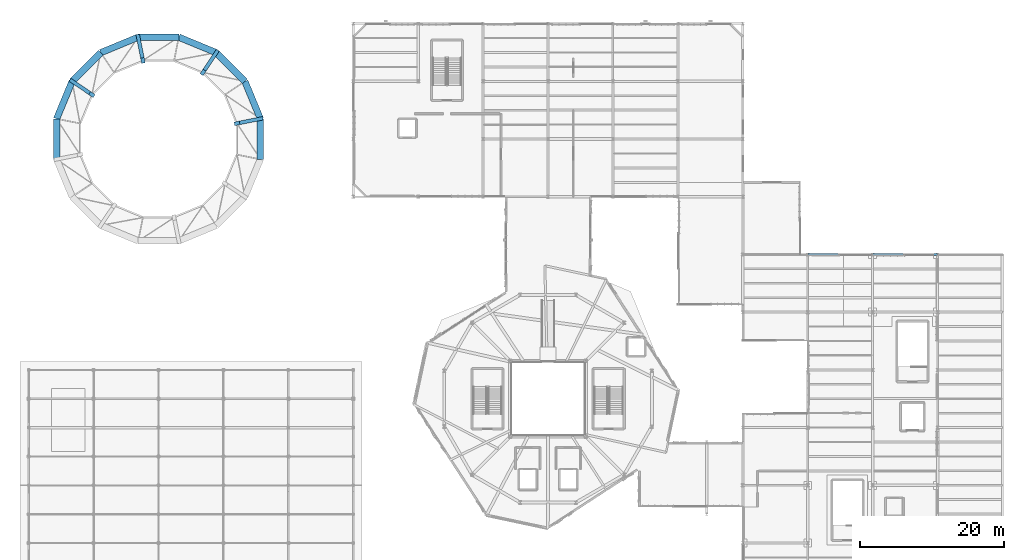
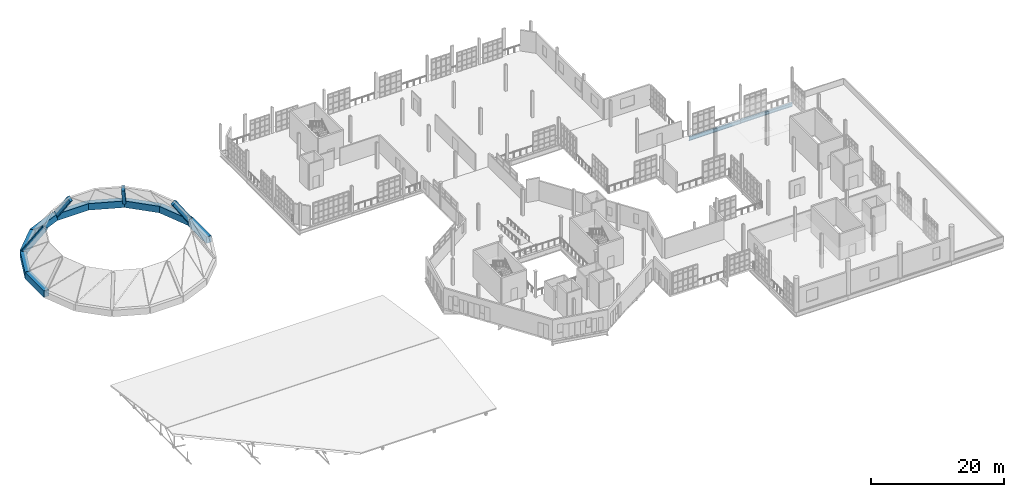
# One storey, part 58 of 118: 15 beams.
"""IFC4 building model written with IfcOpenShell, lengths in metres."""

from ifc_helpers import new_model, si_unit, direction, frame, origin, origin_2d, place, context, subcontext, project, spatial, rectangle, i_section, extrude, material, material_profile, profile_set, type_object, element, save


model = new_model("IFC4")

# Units and contexts
model_context = context("Model", 3, precision=1e-05, world=origin(), true_north=direction((0.0, 1.0)))
body_context = subcontext(model_context, "Body", "Model", "MODEL_VIEW")
ifc_project = project(units=[si_unit("LENGTHUNIT", "METRE"), si_unit("AREAUNIT", "SQUARE_METRE"), si_unit("VOLUMEUNIT", "CUBIC_METRE"), si_unit("PLANEANGLEUNIT", "RADIAN"), si_unit("MASSUNIT", "GRAM", prefix="KILO"), si_unit("THERMODYNAMICTEMPERATUREUNIT", "KELVIN"), si_unit("POWERUNIT", "WATT")], contexts=[model_context])

# Site, building, storey
site_placement = place(None, origin())
site = spatial("IfcSite", under=ifc_project, at=site_placement, CompositionType="ELEMENT")
building_placement = place(site_placement, origin())
building = spatial("IfcBuilding", under=site, at=building_placement, Name="Zelmaris Science Centre", CompositionType="ELEMENT")
storey_placement = place(building_placement, frame((0.0, 0.0, 15.60009765625)))
storey = spatial("IfcBuildingStorey", under=building, at=storey_placement, Name="L03", CompositionType="ELEMENT", Elevation=15.60009765625)

# Beams
ifc_material_1 = material(Name="Steel ASTM A992 Grade 50", Category="steel")
ifc_material_profile_1 = material_profile(ifc_material_1, i_section(OverallWidth=0.25390625, OverallDepth=0.68310546875, WebThickness=0.012451171875, FlangeThickness=0.018798828125, FilletRadius=0.01806640625, at=origin_2d()), Name="W27X94")
ifc_profile_set_1 = profile_set([ifc_material_profile_1], Name="Steel ASTM A992 Grade 50")
beam_type_1 = type_object("IfcBeamType", Name="Beam G-13 W27X94", PredefinedType="BEAM", material=ifc_profile_set_1)
beam_1_placement = place(storey_placement, frame((117.0, 56.0, -0.6015625), z_axis=(1.0, 0.0, 0.0), x_axis=(0.0, 1.0, 0.0)))
element("IfcBeam", 1, at=beam_1_placement, inside=storey, type_object=beam_type_1, Name="L03 East-west girder 751", PredefinedType="BEAM", context=body_context, shape_type="SweptSolid", body=[
    extrude(i_section(OverallWidth=0.25390625, OverallDepth=0.68310546875, WebThickness=0.012451171875, FlangeThickness=0.018798828125, FilletRadius=0.01806640625, at=origin_2d()), origin(), (0.0, 0.0, 1.0), 9.0),
])
ifc_material_profile_2 = material_profile(ifc_material_1, i_section(OverallWidth=0.324951171875, OverallDepth=0.612060546875, WebThickness=0.0126953125, FlangeThickness=0.01904296875, FilletRadius=0.014892578125, at=origin_2d()), Name="W24X104")
ifc_profile_set_2 = profile_set([ifc_material_profile_2], Name="Steel ASTM A992 Grade 50")
beam_type_2 = type_object("IfcBeamType", Name="Beam G-15 W24X104", PredefinedType="BEAM", material=ifc_profile_set_2)
beam_2_placement = place(storey_placement, frame((126.0, 56.0, -0.566162109375), z_axis=(1.0, 0.0, 0.0), x_axis=(0.0, 1.0, 0.0)))
element("IfcBeam", 2, at=beam_2_placement, inside=storey, type_object=beam_type_2, Name="L03 East-west girder 752", PredefinedType="BEAM", context=body_context, shape_type="SweptSolid", body=[
    extrude(i_section(OverallWidth=0.324951171875, OverallDepth=0.612060546875, WebThickness=0.0126953125, FlangeThickness=0.01904296875, FilletRadius=0.014892578125, at=origin_2d()), origin(), (0.0, 0.0, 1.0), 9.0),
])
ifc_material_2 = material(Name="Concrete C40/50", Category="concrete")
ifc_material_profile_3 = material_profile(ifc_material_2, rectangle(XDim=0.5, YDim=0.89990234375, at=origin_2d()), Name="RC-RIB-500X900")
ifc_profile_set_3 = profile_set([ifc_material_profile_3], Name="Concrete C40/50")
beam_type_3 = type_object("IfcBeamType", Name="Dome Rib RC-RIB-500X900", PredefinedType="BEAM", material=ifc_profile_set_3)
beam_3_placement = place(storey_placement, frame((41.123291015625, 74.809326171875, -0.47998046875), z_axis=(-0.555656201573, -0.110527676212, 0.824032656176), x_axis=(0.195091656081, -0.98078501504, 0.0)))
element("IfcBeam", 3, at=beam_3_placement, inside=storey, type_object=beam_type_3, Name="Planetarium dome meridional rib 1 segment 1", PredefinedType="BEAM", context=body_context, shape_type="SweptSolid", body=[
    extrude(rectangle(XDim=0.5, YDim=0.89990234375, at=origin_2d()), origin(), (0.0, 0.0, 1.0), 5.82470703125),
])
beam_4_placement = place(storey_placement, frame((35.000244140625, 83.97314453125, -0.47998046875), z_axis=(-0.314771739115, -0.471067852985, 0.824022954861), x_axis=(0.831457983046, -0.555587637038, 0.0)))
element("IfcBeam", 4, at=beam_4_placement, inside=storey, type_object=beam_type_3, Name="Planetarium dome meridional rib 2 segment 1", PredefinedType="BEAM", context=body_context, shape_type="SweptSolid", body=[
    extrude(rectangle(XDim=0.5, YDim=0.89990234375, at=origin_2d()), origin(), (0.0, 0.0, 1.0), 5.824951171875),
])
beam_5_placement = place(storey_placement, frame((24.190673828125, 86.123291015625, -0.47998046875), z_axis=(0.110527676212, -0.555656201573, 0.824032656176), x_axis=(0.98078501504, 0.195091656081, 0.0)))
element("IfcBeam", 5, at=beam_5_placement, inside=storey, type_object=beam_type_3, Name="Planetarium dome meridional rib 3 segment 1", PredefinedType="BEAM", context=body_context, shape_type="SweptSolid", body=[
    extrude(rectangle(XDim=0.5, YDim=0.89990234375, at=origin_2d()), origin(), (0.0, 0.0, 1.0), 5.82470703125),
])
beam_6_placement = place(storey_placement, frame((15.02685546875, 80.000244140625, -0.47998046875), z_axis=(0.471067852985, -0.314771739115, 0.824022954861), x_axis=(0.555587637038, 0.831457983046, 0.0)))
element("IfcBeam", 6, at=beam_6_placement, inside=storey, type_object=beam_type_3, Name="Planetarium dome meridional rib 4 segment 1", PredefinedType="BEAM", context=body_context, shape_type="SweptSolid", body=[
    extrude(rectangle(XDim=0.5, YDim=0.89990234375, at=origin_2d()), origin(), (0.0, 0.0, 1.0), 5.824951171875),
])
ifc_material_profile_4 = material_profile(ifc_material_2, rectangle(XDim=0.89990234375, YDim=1.199951171875, at=origin_2d()), Name="RC-RING-900X1200")
ifc_profile_set_4 = profile_set([ifc_material_profile_4], Name="Concrete C40/50")
beam_type_4 = type_object("IfcBeamType", Name="Tension Ring Beam RC-RING-900X1200", PredefinedType="SPANDREL", material=ifc_profile_set_4)
beam_7_placement = place(storey_placement, frame((41.123291015625, 74.809326171875, -0.60009765625), z_axis=(-0.38268310735, 0.923879667137, 0.0), x_axis=(-0.923879667137, -0.38268310735, 0.0)))
element("IfcBeam", 7, at=beam_7_placement, inside=storey, type_object=beam_type_4, Name="Planetarium dome tension ring beam 1", PredefinedType="SPANDREL", context=body_context, shape_type="SweptSolid", body=[
    extrude(rectangle(XDim=0.89990234375, YDim=1.199951171875, at=origin_2d()), origin(), (0.0, 0.0, 1.0), 5.61865234375),
])
beam_8_placement = place(storey_placement, frame((38.97314453125, 80.000244140625, -0.60009765625), z_axis=(-0.707106781187, 0.707106781187, 0.0), x_axis=(-0.707106781187, -0.707106781187, 0.0)))
element("IfcBeam", 8, at=beam_8_placement, inside=storey, type_object=beam_type_4, Name="Planetarium dome tension ring beam 2", PredefinedType="SPANDREL", context=body_context, shape_type="SweptSolid", body=[
    extrude(rectangle(XDim=0.89990234375, YDim=1.199951171875, at=origin_2d()), origin(), (0.0, 0.0, 1.0), 5.618408203125),
])
for number, where, z_axis, x_axis, name in (
    (9, (35.000244140625, 83.97314453125, -0.60009765625), (-0.923879667137, 0.38268310735, 0.0), (-0.38268310735, -0.923879667137, 0.0), "Planetarium dome tension ring beam 3"),
    (10, (29.809326171875, 86.123291015625, -0.60009765625), (-1.0, 0.0, 0.0), (0.0, -1.0, 0.0), "Planetarium dome tension ring beam 4"),
    (11, (24.190673828125, 86.123291015625, -0.60009765625), (-0.923879667137, -0.38268310735, 0.0), (0.38268310735, -0.923879667137, 0.0), "Planetarium dome tension ring beam 5"),
):
    element("IfcBeam", number, at=place(storey_placement, frame(where, z_axis=z_axis, x_axis=x_axis)), inside=storey, type_object=beam_type_4, Name=name, PredefinedType="SPANDREL", context=body_context, shape_type="SweptSolid", body=[
        extrude(rectangle(XDim=0.89990234375, YDim=1.199951171875, at=origin_2d()), origin(), (0.0, 0.0, 1.0), 5.61865234375),
    ])
beam_9_placement = place(storey_placement, frame((18.999755859375, 83.97314453125, -0.60009765625), z_axis=(-0.707106781187, -0.707106781187, 0.0), x_axis=(0.707106781187, -0.707106781187, 0.0)))
element("IfcBeam", 12, at=beam_9_placement, inside=storey, type_object=beam_type_4, Name="Planetarium dome tension ring beam 6", PredefinedType="SPANDREL", context=body_context, shape_type="SweptSolid", body=[
    extrude(rectangle(XDim=0.89990234375, YDim=1.199951171875, at=origin_2d()), origin(), (0.0, 0.0, 1.0), 5.618408203125),
])
for number, where, z_axis, x_axis, name in (
    (13, (15.02685546875, 80.000244140625, -0.60009765625), (-0.38268310735, -0.923879667137, 0.0), (0.923879667137, -0.38268310735, 0.0), "Planetarium dome tension ring beam 7"),
    (14, (12.876708984375, 74.809326171875, -0.60009765625), (0.0, -1.0, 0.0), (1.0, 0.0, 0.0), "Planetarium dome tension ring beam 8"),
    (15, (41.123291015625, 69.190673828125, -0.60009765625), (0.0, 1.0, 0.0), (-1.0, 0.0, 0.0), "Planetarium dome tension ring beam 16"),
):
    element("IfcBeam", number, at=place(storey_placement, frame(where, z_axis=z_axis, x_axis=x_axis)), inside=storey, type_object=beam_type_4, Name=name, PredefinedType="SPANDREL", context=body_context, shape_type="SweptSolid", body=[
        extrude(rectangle(XDim=0.89990234375, YDim=1.199951171875, at=origin_2d()), origin(), (0.0, 0.0, 1.0), 5.61865234375),
    ])

save(model, "model.ifc")
